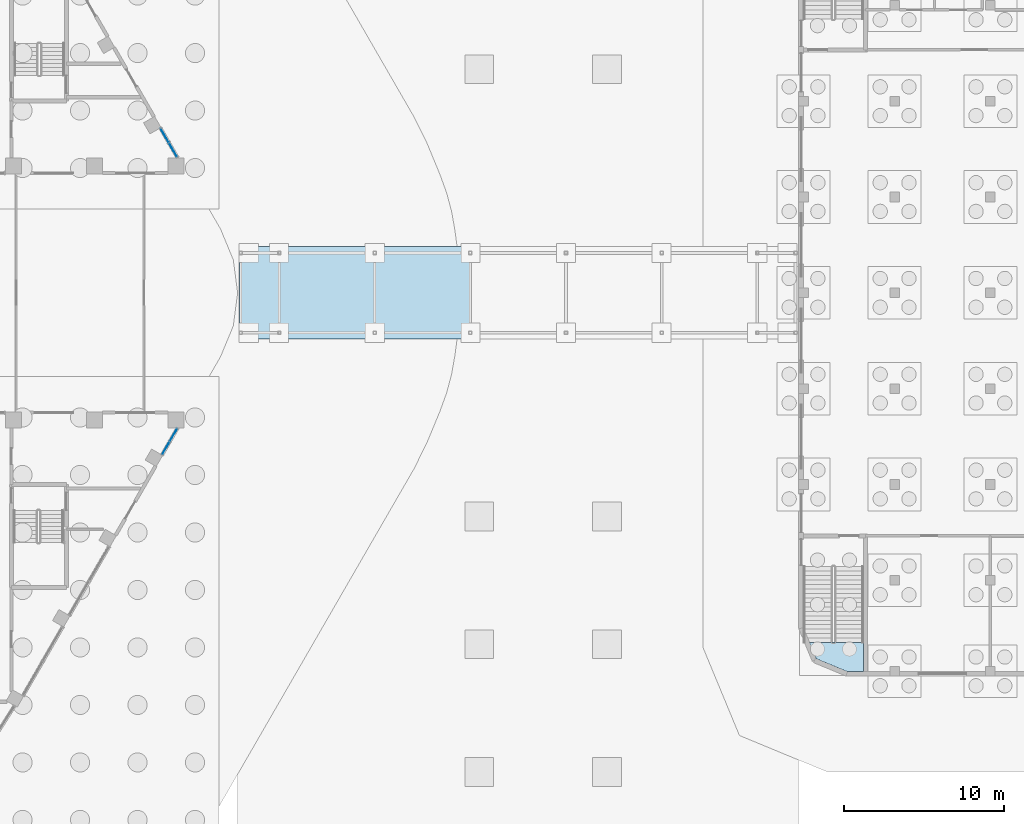
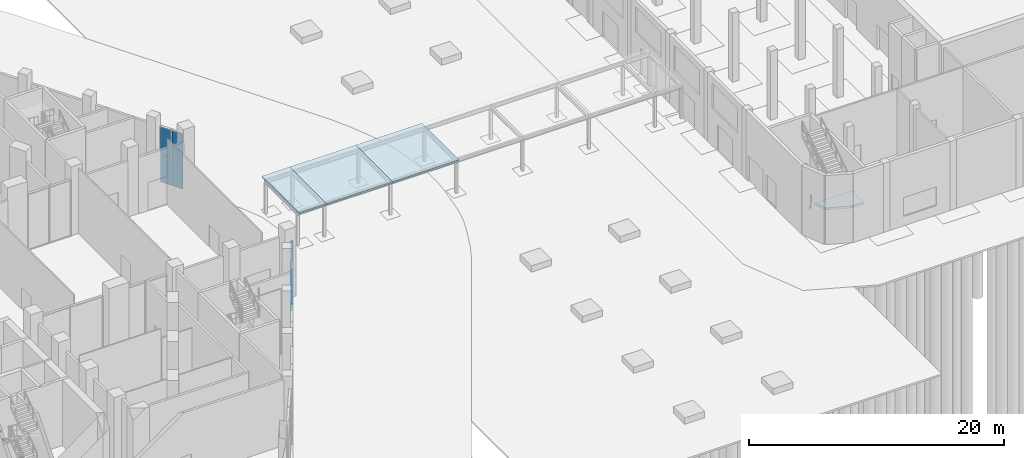
# One storey, part 21 of 44: 8 plates, 4 slabs, 3 elements without a shape of their own.
"""IFC4 building model written with IfcOpenShell, lengths in metres."""

from ifc_helpers import new_model, si_unit, direction, frame, origin, origin_2d, place, context, subcontext, project, spatial, polyline, rectangle, outline, extrude, material, layer, layer_set, type_object, element, aggregate, save


model = new_model("IFC4")

# Units and contexts
model_context = context("Model", 3, precision=1e-05, world=origin(), true_north=direction((0.0, 1.0)))
body_context = subcontext(model_context, "Body", "Model", "MODEL_VIEW")
ifc_project = project(units=[si_unit("LENGTHUNIT", "METRE"), si_unit("AREAUNIT", "SQUARE_METRE"), si_unit("VOLUMEUNIT", "CUBIC_METRE"), si_unit("PLANEANGLEUNIT", "RADIAN"), si_unit("MASSUNIT", "GRAM", prefix="KILO")], contexts=[model_context])

# Site, building, storey
site_placement = place(None, origin())
site = spatial("IfcSite", under=ifc_project, at=site_placement, CompositionType="ELEMENT")
building_placement = place(site_placement, origin())
building = spatial("IfcBuilding", under=site, at=building_placement, Name="Nakaniwa Court", CompositionType="ELEMENT")
storey_placement = place(building_placement, origin())
storey = spatial("IfcBuildingStorey", under=building, at=storey_placement, Name="L00", CompositionType="ELEMENT", Elevation=0.0)

# Slabs
ifc_material_1 = material(Name="Concrete C32/40 topping on profiled steel deck", Category="concrete")
ifc_layer_1 = layer(ifc_material_1, 0.14990234375)
ifc_layer_set_1 = layer_set([ifc_layer_1], Name="Concrete C32/40 topping on profiled steel deck")
slab_type_1 = type_object("IfcSlabType", Name="Canopy roof deck 150", PredefinedType="ROOF", material=ifc_layer_set_1)
slab_1_placement = place(storey_placement, frame((0.0, 0.0, 3.2041015625)))
element("IfcSlab", 1, at=slab_1_placement, inside=storey, type_object=slab_type_1, Name="Link walkway canopy roof 1", PredefinedType="ROOF", context=body_context, shape_type="SweptSolid", body=[
    extrude(outline(polyline([(119.467529296875, 77.10009765625), (119.467529296875, 82.89990234375), (116.967529296875, 82.89990234375), (116.967529296875, 77.10009765625), (119.467529296875, 77.10009765625)])), origin(), (0.0, 0.0, 1.0), 0.14990234375),
])
slab_2_placement = place(storey_placement, frame((0.0, 0.0, 3.2041015625)))
element("IfcSlab", 2, at=slab_2_placement, inside=storey, type_object=slab_type_1, Name="Link walkway canopy roof 2", PredefinedType="ROOF", context=body_context, shape_type="SweptSolid", body=[
    extrude(outline(polyline([(125.4541015625, 77.10009765625), (125.4541015625, 82.89990234375), (119.467529296875, 82.89990234375), (119.467529296875, 77.10009765625), (125.4541015625, 77.10009765625)])), origin(), (0.0, 0.0, 1.0), 0.14990234375),
])
slab_3_placement = place(storey_placement, frame((0.0, 0.0, 3.2041015625)))
element("IfcSlab", 3, at=slab_3_placement, inside=storey, type_object=slab_type_1, Name="Link walkway canopy roof 3", PredefinedType="ROOF", context=body_context, shape_type="SweptSolid", body=[
    extrude(outline(polyline([(131.4404296875, 77.10009765625), (131.4404296875, 82.89990234375), (125.4541015625, 82.89990234375), (125.4541015625, 77.10009765625), (131.4404296875, 77.10009765625)])), origin(), (0.0, 0.0, 1.0), 0.14990234375),
])

# Curtain wall, plates
ifc_material_2 = material(Name="Black anodised aluminium frame with dark low-E laminated double glazing", Category="aluminium")
ifc_layer_2 = layer(ifc_material_2, 0.199951171875)
ifc_layer_set_2 = layer_set([ifc_layer_2], Name="Black anodised aluminium frame with dark low-E laminated double glazing")
curtain_wall_type = type_object("IfcCurtainWallType", Name="Concourse stick curtain wall", PredefinedType="NOTDEFINED", material=ifc_layer_set_2)
curtain_wall_1_placement = place(storey_placement, origin())
curtain_wall_1 = element("IfcCurtainWall", 4, at=curtain_wall_1_placement, inside=storey, type_object=curtain_wall_type, Name="L00 curtain wall CW2 03", PredefinedType="NOTDEFINED")
ifc_material_3 = material(Name="Dark toughened glass", Category="glass")
ifc_layer_3 = layer(ifc_material_3, 0.006, Name="Outer pane")
ifc_material_4 = material(Name="Argon filled cavity")
ifc_layer_4 = layer(ifc_material_4, 0.016, Name="Cavity")
ifc_material_5 = material(Name="Dark laminated safety glass", Category="glass")
ifc_layer_5 = layer(ifc_material_5, 0.006, Name="Inner pane")
ifc_layer_set_3 = layer_set([ifc_layer_3, ifc_layer_4, ifc_layer_5], Name="Dark low-E laminated double glazing")
plate_type = type_object("IfcPlateType", Name="Concourse stick curtain wall glass panel", PredefinedType="CURTAIN_PANEL", material=ifc_layer_set_3)
plate_1_placement = place(storey_placement, frame((112.37646484375, 70.27734375, 0.06005859375), z_axis=(0.0, 0.0, 1.0), x_axis=(0.499974508904, 0.866040120575, 0.0)))
plate_1 = element("IfcPlate", 5, at=plate_1_placement, type_object=plate_type, Name="CW2 panel 1.1", PredefinedType="CURTAIN_PANEL", context=body_context, shape_type="SweptSolid", body=[
    extrude(rectangle(XDim=0.883056640625, YDim=0.028076171875, at=origin_2d()), origin(), (0.0, 0.0, 1.0), 2.610107421875),
])
plate_2_placement = place(storey_placement, frame((112.37646484375, 70.27734375, 2.72998046875), z_axis=(0.0, 0.0, 1.0), x_axis=(0.499974508904, 0.866040120575, 0.0)))
plate_2 = element("IfcPlate", 6, at=plate_2_placement, type_object=plate_type, Name="CW2 panel 1.2", PredefinedType="CURTAIN_PANEL", context=body_context, shape_type="SweptSolid", body=[
    extrude(rectangle(XDim=0.883056640625, YDim=0.028076171875, at=origin_2d()), origin(), (0.0, 0.0, 1.0), 2.610107421875),
])
plate_3_placement = place(storey_placement, frame((112.847900390625, 71.09423828125, 0.06005859375), z_axis=(0.0, 0.0, 1.0), x_axis=(0.499974508904, 0.866040120575, 0.0)))
plate_3 = element("IfcPlate", 7, at=plate_3_placement, type_object=plate_type, Name="CW2 panel 2.1", PredefinedType="CURTAIN_PANEL", context=body_context, shape_type="SweptSolid", body=[
    extrude(rectangle(XDim=0.883056640625, YDim=0.028076171875, at=origin_2d()), origin(), (0.0, 0.0, 1.0), 2.610107421875),
])
plate_4_placement = place(storey_placement, frame((112.847900390625, 71.09423828125, 2.72998046875), z_axis=(0.0, 0.0, 1.0), x_axis=(0.499974508904, 0.866040120575, 0.0)))
plate_4 = element("IfcPlate", 8, at=plate_4_placement, type_object=plate_type, Name="CW2 panel 2.2", PredefinedType="CURTAIN_PANEL", context=body_context, shape_type="SweptSolid", body=[
    extrude(rectangle(XDim=0.883056640625, YDim=0.028076171875, at=origin_2d()), origin(), (0.0, 0.0, 1.0), 2.610107421875),
])
aggregate(curtain_wall_1, [plate_1, plate_2, plate_3, plate_4])

curtain_wall_2_placement = place(storey_placement, origin())
curtain_wall_2 = element("IfcCurtainWall", 9, at=curtain_wall_2_placement, inside=storey, type_object=curtain_wall_type, Name="L00 curtain wall CW2 39", PredefinedType="NOTDEFINED")
plate_5_placement = place(storey_placement, frame((112.822509765625, 88.94970703125, 0.06005859375), z_axis=(0.0, 0.0, 1.0), x_axis=(-0.499982949932, 0.866035247422, 0.0)))
plate_5 = element("IfcPlate", 10, at=plate_5_placement, type_object=plate_type, Name="CW2 panel 1.1", PredefinedType="CURTAIN_PANEL", context=body_context, shape_type="SweptSolid", body=[
    extrude(rectangle(XDim=0.984375, YDim=0.028076171875, at=origin_2d()), origin(), (0.0, 0.0, 1.0), 2.610107421875),
])
plate_6_placement = place(storey_placement, frame((112.822509765625, 88.94970703125, 2.72998046875), z_axis=(0.0, 0.0, 1.0), x_axis=(-0.499982949932, 0.866035247422, 0.0)))
plate_6 = element("IfcPlate", 11, at=plate_6_placement, type_object=plate_type, Name="CW2 panel 1.2", PredefinedType="CURTAIN_PANEL", context=body_context, shape_type="SweptSolid", body=[
    extrude(rectangle(XDim=0.984375, YDim=0.028076171875, at=origin_2d()), origin(), (0.0, 0.0, 1.0), 2.610107421875),
])
plate_7_placement = place(storey_placement, frame((112.30029296875, 89.854248046875, 0.06005859375), z_axis=(0.0, 0.0, 1.0), x_axis=(-0.499982949932, 0.866035247422, 0.0)))
plate_7 = element("IfcPlate", 12, at=plate_7_placement, type_object=plate_type, Name="CW2 panel 2.1", PredefinedType="CURTAIN_PANEL", context=body_context, shape_type="SweptSolid", body=[
    extrude(rectangle(XDim=0.984375, YDim=0.028076171875, at=origin_2d()), origin(), (0.0, 0.0, 1.0), 2.610107421875),
])
plate_8_placement = place(storey_placement, frame((112.30029296875, 89.854248046875, 2.72998046875), z_axis=(0.0, 0.0, 1.0), x_axis=(-0.499982949932, 0.866035247422, 0.0)))
plate_8 = element("IfcPlate", 13, at=plate_8_placement, type_object=plate_type, Name="CW2 panel 2.2", PredefinedType="CURTAIN_PANEL", context=body_context, shape_type="SweptSolid", body=[
    extrude(rectangle(XDim=0.984375, YDim=0.028076171875, at=origin_2d()), origin(), (0.0, 0.0, 1.0), 2.610107421875),
])
aggregate(curtain_wall_2, [plate_5, plate_6, plate_7, plate_8])

# Stair, slab
ifc_material_6 = material(Name="Concrete C40/50", Category="concrete")
stair_type = type_object("IfcStairType", Name="Hall exit stair 36 risers", PredefinedType="HALF_TURN_STAIR", material=ifc_material_6)
stair_placement = place(storey_placement, origin())
stair = element("IfcStair", 14, at=stair_placement, inside=storey, type_object=stair_type, Name="L00 Exit stair 1", PredefinedType="HALF_TURN_STAIR")
ifc_layer_6 = layer(ifc_material_6, 0.199951171875)
ifc_layer_set_4 = layer_set([ifc_layer_6], Name="Concrete C40/50")
slab_type_2 = type_object("IfcSlabType", Name="Hall stair landing 200", PredefinedType="LANDING", material=ifc_layer_set_4)
slab_4_placement = place(storey_placement, frame((0.0, 0.0, 3.10009765625)))
slab_4 = element("IfcSlab", 15, at=slab_4_placement, type_object=slab_type_2, Name="ST-H1 landing 1", PredefinedType="LANDING", context=body_context, shape_type="SweptSolid", body=[
    extrude(outline(polyline([(156.050048828125, 56.300048828125), (156.050048828125, 58.10009765625), (152.6728515625, 58.10009765625), (153.0908203125, 57.0908203125), (155.0, 56.300048828125), (156.050048828125, 56.300048828125)])), origin(), (0.0, 0.0, 1.0), 0.199951171875),
])
aggregate(stair, [slab_4])

save(model, "model.ifc")
